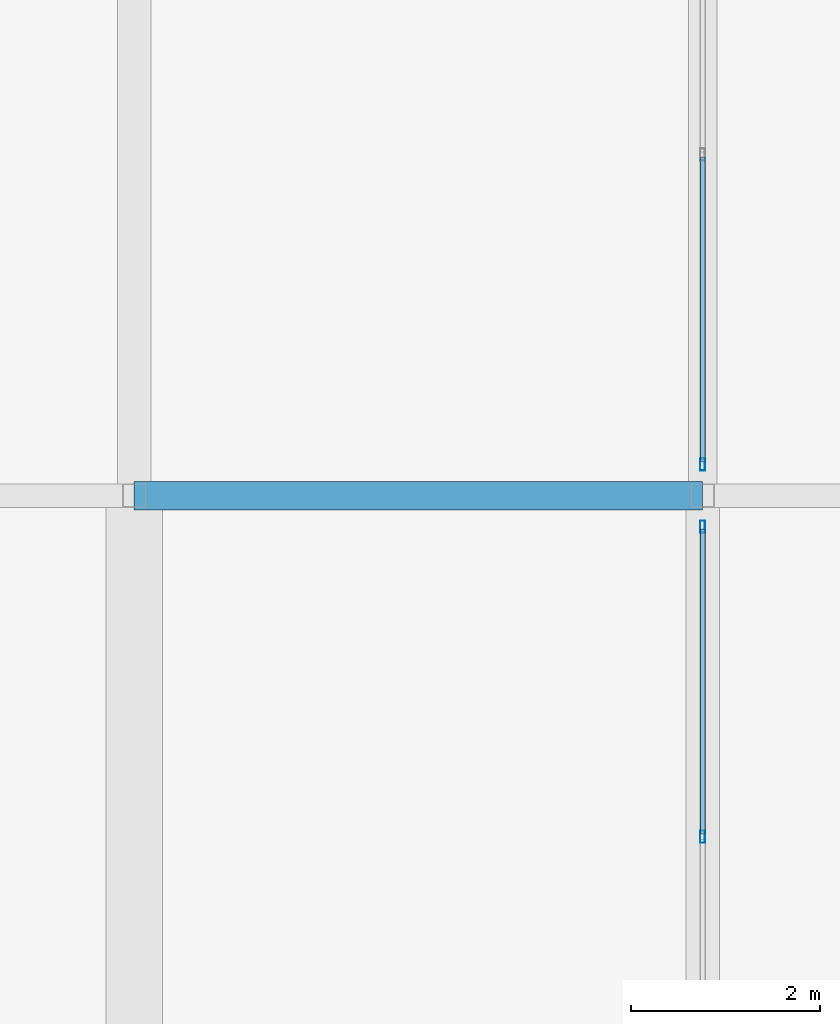
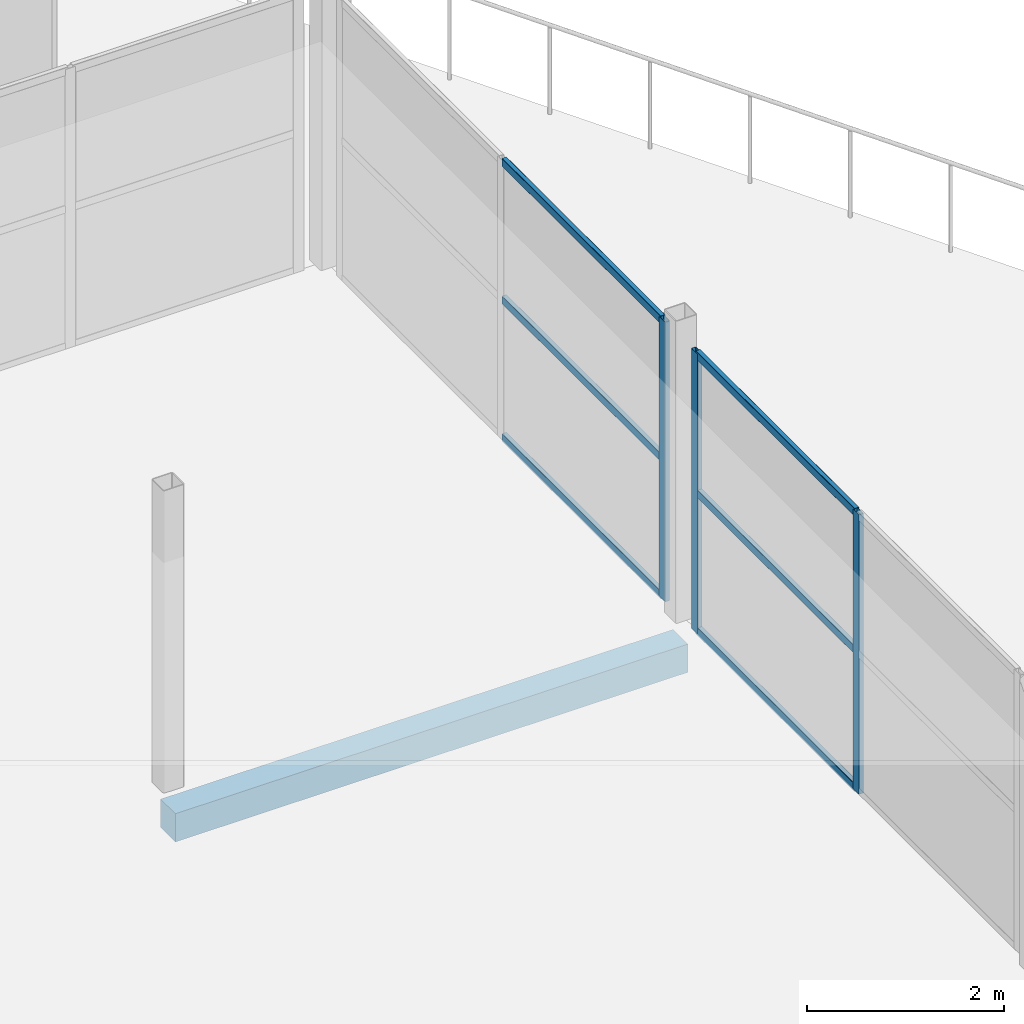
# One storey, part 162 of 239: 9 members, 1 beam, 2 elements without a shape of their own.
"""IFC4 building model written with IfcOpenShell, lengths in metres."""

from ifc_helpers import new_model, si_unit, direction, frame, origin, origin_2d, place, context, subcontext, project, spatial, rectangle, hollow_rectangle, extrude, material, layer, layer_set, material_profile, profile_set, type_object, element, aggregate, save


model = new_model("IFC4")

# Units and contexts
model_context = context("Model", 3, precision=1e-05, world=origin(), true_north=direction((0.0, 1.0)))
body_context = subcontext(model_context, "Body", "Model", "MODEL_VIEW")
ifc_project = project(units=[si_unit("LENGTHUNIT", "METRE"), si_unit("AREAUNIT", "SQUARE_METRE"), si_unit("VOLUMEUNIT", "CUBIC_METRE"), si_unit("PLANEANGLEUNIT", "RADIAN"), si_unit("MASSUNIT", "GRAM", prefix="KILO")], contexts=[model_context])

# Site, building, storey
site_placement = place(None, origin())
site = spatial("IfcSite", under=ifc_project, at=site_placement, CompositionType="ELEMENT")
building_placement = place(site_placement, origin())
building = spatial("IfcBuilding", under=site, at=building_placement, Name="Dunvalen Ferry Terminal", CompositionType="ELEMENT")
storey_placement = place(building_placement, frame((0.0, 0.0, 9.840087890625)))
storey = spatial("IfcBuildingStorey", under=building, at=storey_placement, Name="L02", CompositionType="ELEMENT", Elevation=9.840087890625)

# Curtain wall, members
ifc_material_1 = material(Name="Anodised marine aluminium and solar-control glazing", Category="aluminium")
ifc_layer = layer(ifc_material_1, 0.159912109375, Name="Anodised marine aluminium and solar-control glazing")
ifc_layer_set = layer_set([ifc_layer], Name="Anodised marine aluminium and solar-control glazing")
curtain_wall_type = type_object("IfcCurtainWallType", Name="ENV-CW-SYS-10", PredefinedType="NOTDEFINED", material=ifc_layer_set)
curtain_wall_1_placement = place(storey_placement, origin())
curtain_wall_1 = element("IfcCurtainWall", 1, at=curtain_wall_1_placement, inside=storey, type_object=curtain_wall_type, Name="L02 Curtain Wall CW-PAV-E-2", PredefinedType="NOTDEFINED")
ifc_material_2 = material(Name="Anodised marine aluminium EN AW-6063 T6", Category="aluminium")
ifc_material_profile_1 = material_profile(ifc_material_2, hollow_rectangle(XDim=0.054931640625, YDim=0.1298828125, WallThickness=0.003173828125, InnerFilletRadius=0.003173828125, OuterFilletRadius=0.00634765625, at=origin_2d()), Name="Anodised marine aluminium EN AW-6063 T6")
ifc_profile_set_1 = profile_set([ifc_material_profile_1], Name="Anodised marine aluminium EN AW-6063 T6")
member_type_1 = type_object("IfcMemberType", Name="ENV-CW-MUL-4", PredefinedType="MULLION", material=ifc_profile_set_1)
member_1_placement = place(storey_placement, frame((156.0, 25.199951171875, 0.0), z_axis=(0.0, 0.0, 1.0), x_axis=(-1.0, 0.0, 0.0)))
member_1 = element("IfcMember", 2, at=member_1_placement, type_object=member_type_1, Name="CW-10 mullion 2", PredefinedType="MULLION", context=body_context, shape_type="SweptSolid", body=[
    extrude(hollow_rectangle(XDim=0.054931640625, YDim=0.1298828125, WallThickness=0.003173828125, InnerFilletRadius=0.003173828125, OuterFilletRadius=0.00634765625, at=origin_2d()), origin(), (0.0, 0.0, 1.0), 3.4599609375),
])
member_2_placement = place(storey_placement, frame((156.0, 28.472412109375, 0.0), z_axis=(0.0, 0.0, 1.0), x_axis=(-1.0, 0.0, 0.0)))
member_2 = element("IfcMember", 3, at=member_2_placement, type_object=member_type_1, Name="CW-10 mullion 3", PredefinedType="MULLION", context=body_context, shape_type="SweptSolid", body=[
    extrude(hollow_rectangle(XDim=0.054931640625, YDim=0.1298828125, WallThickness=0.003173828125, InnerFilletRadius=0.003173828125, OuterFilletRadius=0.00634765625, at=origin_2d()), origin(), (0.0, 0.0, 1.0), 3.4599609375),
])

# Curtain wall, member
curtain_wall_2_placement = place(storey_placement, origin())
curtain_wall_2 = element("IfcCurtainWall", 4, at=curtain_wall_2_placement, inside=storey, type_object=curtain_wall_type, Name="L02 Curtain Wall CW-PAV-E-3", PredefinedType="NOTDEFINED")
member_3_placement = place(storey_placement, frame((156.0, 29.12744140625, 0.0), z_axis=(0.0, 0.0, 1.0), x_axis=(-1.0, 0.0, 0.0)))
member_3 = element("IfcMember", 5, at=member_3_placement, type_object=member_type_1, Name="CW-10 mullion 1", PredefinedType="MULLION", context=body_context, shape_type="SweptSolid", body=[
    extrude(hollow_rectangle(XDim=0.054931640625, YDim=0.1298828125, WallThickness=0.003173828125, InnerFilletRadius=0.003173828125, OuterFilletRadius=0.00634765625, at=origin_2d()), origin(), (0.0, 0.0, 1.0), 3.4599609375),
])

# Member
ifc_material_profile_2 = material_profile(ifc_material_2, hollow_rectangle(XDim=0.054931640625, YDim=0.10009765625, WallThickness=0.0029296875, InnerFilletRadius=0.0029296875, OuterFilletRadius=0.006103515625, at=origin_2d()), Name="Anodised marine aluminium EN AW-6063 T6")
ifc_profile_set_2 = profile_set([ifc_material_profile_2], Name="Anodised marine aluminium EN AW-6063 T6")
member_type_2 = type_object("IfcMemberType", Name="ENV-CW-TRN-4", PredefinedType="USERDEFINED", material=ifc_profile_set_2)
member_4_placement = place(storey_placement, frame((156.0, 25.2275390625, 0.02734375), z_axis=(0.0, 1.0, 0.0), x_axis=(-1.0, 0.0, 0.0)))
member_4 = element("IfcMember", 6, at=member_4_placement, type_object=member_type_2, Name="CW-10 transom 2.1", ObjectType="TRANSOM", PredefinedType="USERDEFINED", context=body_context, shape_type="SweptSolid", body=[
    extrude(hollow_rectangle(XDim=0.054931640625, YDim=0.10009765625, WallThickness=0.0029296875, InnerFilletRadius=0.0029296875, OuterFilletRadius=0.006103515625, at=origin_2d()), origin(), (0.0, 0.0, 1.0), 3.217529296875),
])

member_5_placement = place(storey_placement, frame((156.0, 25.2275390625, 1.72998046875), z_axis=(0.0, 1.0, 0.0), x_axis=(-1.0, 0.0, 0.0)))
member_5 = element("IfcMember", 7, at=member_5_placement, type_object=member_type_2, Name="CW-10 transom 2.2", ObjectType="TRANSOM", PredefinedType="USERDEFINED", context=body_context, shape_type="SweptSolid", body=[
    extrude(hollow_rectangle(XDim=0.054931640625, YDim=0.10009765625, WallThickness=0.0029296875, InnerFilletRadius=0.0029296875, OuterFilletRadius=0.006103515625, at=origin_2d()), origin(), (0.0, 0.0, 1.0), 3.217529296875),
])

member_6_placement = place(storey_placement, frame((156.0, 25.2275390625, 3.432373046875), z_axis=(0.0, 1.0, 0.0), x_axis=(-1.0, 0.0, 0.0)))
member_6 = element("IfcMember", 8, at=member_6_placement, type_object=member_type_2, Name="CW-10 transom 2.3", ObjectType="TRANSOM", PredefinedType="USERDEFINED", context=body_context, shape_type="SweptSolid", body=[
    extrude(hollow_rectangle(XDim=0.054931640625, YDim=0.10009765625, WallThickness=0.0029296875, InnerFilletRadius=0.0029296875, OuterFilletRadius=0.006103515625, at=origin_2d()), origin(), (0.0, 0.0, 1.0), 3.217529296875),
])

aggregate(curtain_wall_1, [member_1, member_2, member_4, member_5, member_6])

member_7_placement = place(storey_placement, frame((156.0, 29.155029296875, 0.02734375), z_axis=(0.0, 1.0, 0.0), x_axis=(-1.0, 0.0, 0.0)))
member_7 = element("IfcMember", 9, at=member_7_placement, type_object=member_type_2, Name="CW-10 transom 1.1", ObjectType="TRANSOM", PredefinedType="USERDEFINED", context=body_context, shape_type="SweptSolid", body=[
    extrude(hollow_rectangle(XDim=0.054931640625, YDim=0.10009765625, WallThickness=0.0029296875, InnerFilletRadius=0.0029296875, OuterFilletRadius=0.006103515625, at=origin_2d()), origin(), (0.0, 0.0, 1.0), 3.217529296875),
])

member_8_placement = place(storey_placement, frame((156.0, 29.155029296875, 1.72998046875), z_axis=(0.0, 1.0, 0.0), x_axis=(-1.0, 0.0, 0.0)))
member_8 = element("IfcMember", 10, at=member_8_placement, type_object=member_type_2, Name="CW-10 transom 1.2", ObjectType="TRANSOM", PredefinedType="USERDEFINED", context=body_context, shape_type="SweptSolid", body=[
    extrude(hollow_rectangle(XDim=0.054931640625, YDim=0.10009765625, WallThickness=0.0029296875, InnerFilletRadius=0.0029296875, OuterFilletRadius=0.006103515625, at=origin_2d()), origin(), (0.0, 0.0, 1.0), 3.217529296875),
])

member_9_placement = place(storey_placement, frame((156.0, 29.155029296875, 3.432373046875), z_axis=(0.0, 1.0, 0.0), x_axis=(-1.0, 0.0, 0.0)))
member_9 = element("IfcMember", 11, at=member_9_placement, type_object=member_type_2, Name="CW-10 transom 1.3", ObjectType="TRANSOM", PredefinedType="USERDEFINED", context=body_context, shape_type="SweptSolid", body=[
    extrude(hollow_rectangle(XDim=0.054931640625, YDim=0.10009765625, WallThickness=0.0029296875, InnerFilletRadius=0.0029296875, OuterFilletRadius=0.006103515625, at=origin_2d()), origin(), (0.0, 0.0, 1.0), 3.217529296875),
])

aggregate(curtain_wall_2, [member_3, member_7, member_8, member_9])

# Beam
ifc_material_3 = material(Name="Concrete C40/50", Category="concrete")
ifc_material_profile_3 = material_profile(ifc_material_3, rectangle(XDim=0.300048828125, YDim=0.35009765625, at=origin_2d()), Name="Concrete C40/50")
ifc_profile_set_3 = profile_set([ifc_material_profile_3], Name="Concrete C40/50")
beam_type = type_object("IfcBeamType", Name="STR-BM-RCL350", PredefinedType="LINTEL", material=ifc_profile_set_3)
beam_placement = place(storey_placement, frame((150.0, 28.800048828125, -0.455078125), z_axis=(1.0, 0.0, 0.0), x_axis=(0.0, 1.0, 0.0)))
element("IfcBeam", 12, at=beam_placement, inside=storey, type_object=beam_type, Name="L02 V4 Primary Beam X-044", PredefinedType="LINTEL", context=body_context, shape_type="SweptSolid", body=[
    extrude(rectangle(XDim=0.300048828125, YDim=0.35009765625, at=origin_2d()), origin(), (0.0, 0.0, 1.0), 6.0),
])

save(model, "model.ifc")
